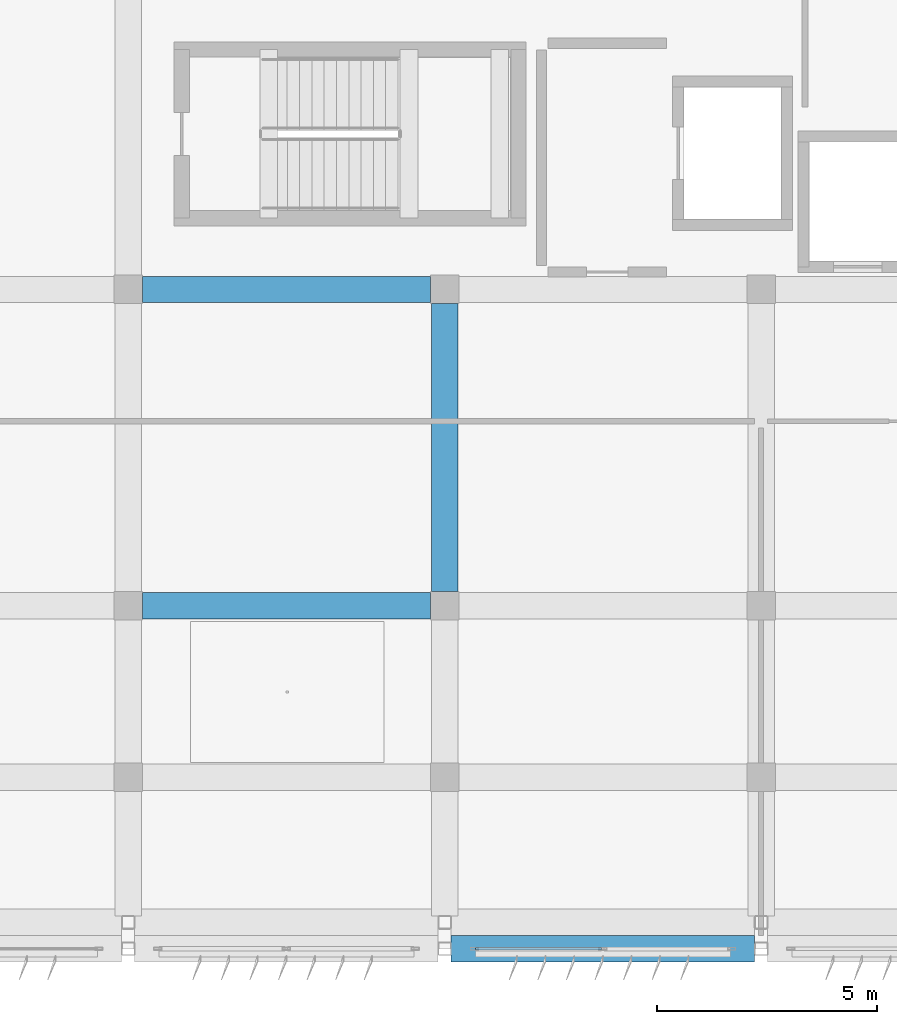
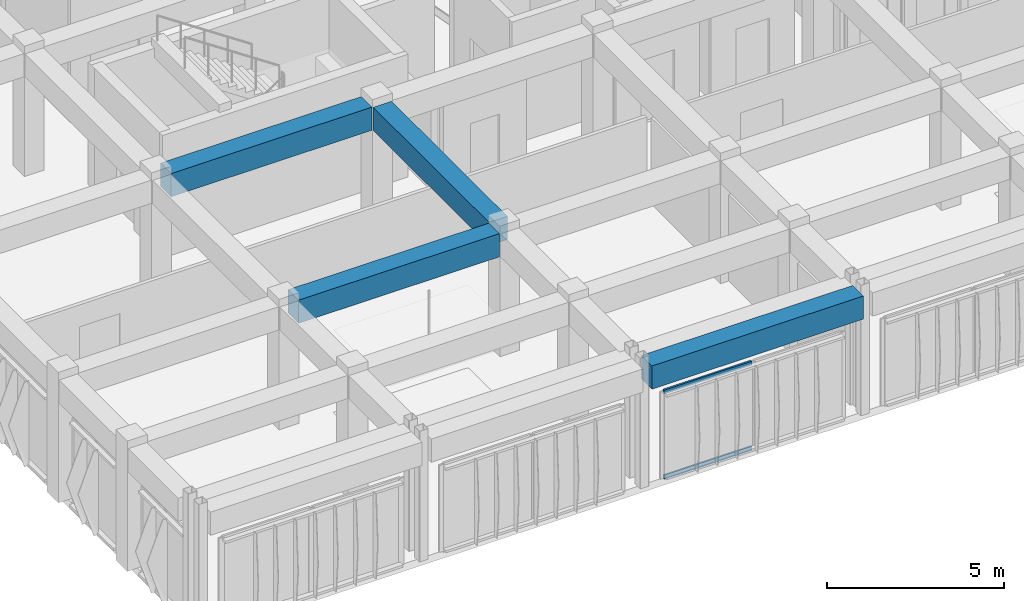
# One storey, part 7 of 56: 4 beams, 2 members, 1 element without a shape of its own.
"""IFC4 building model written with IfcOpenShell, lengths in metres."""

import ifcopenshell
import ifcopenshell.guid

model = None  # the IFC model being written
_history = None  # IfcOwnerHistory: only IFC2X3 demands one
_inside = {}  # id of a spatial element -> (the spatial element, [elements in it])
_under = {}  # id of a project, library or spatial element -> (it, [spatial elements below it])
_declared = {}  # id of a project -> (the project, [libraries it declares])
_typed = {}  # id of a type object -> (the type object, [elements of that type])
_made_of = {}  # id of a material, layer set ... -> (it, [elements and type objects made of it])


def new_model(schema):
    """Start an empty IFC model of exactly this schema.

    Asked for "IFC4X3", IfcOpenShell would pick the latest addendum, in which some entities
    have other attributes; the version numbers below select the first issue.
    IFC2X3 requires an IfcOwnerHistory on every rooted entity: one is made here for all.
    """
    global model, _history
    if schema == "IFC4X3":
        model = ifcopenshell.file(schema_version=(4, 3, 0, 0))
    else:
        model = ifcopenshell.file(schema=schema)
    _inside.clear()
    _under.clear()
    _declared.clear()
    _typed.clear()
    _made_of.clear()
    _history = None
    if model.schema == "IFC2X3":
        org = make("IfcOrganization", Name="unknown")
        user = make(
            "IfcPersonAndOrganization",
            ThePerson=make("IfcPerson", FamilyName="unknown"),
            TheOrganization=org,
        )
        app = make(
            "IfcApplication",
            ApplicationDeveloper=org,
            Version="unknown",
            ApplicationFullName="unknown",
            ApplicationIdentifier="unknown",
        )
        _history = make(
            "IfcOwnerHistory",
            OwningUser=user,
            OwningApplication=app,
            ChangeAction="ADDED",
            CreationDate=0,
        )
    return model


def make(cls, **values):
    """One entity of the class cls with the attributes given. An attribute that is None is left unset."""
    return model.create_entity(
        cls, **{name: value for name, value in values.items() if value is not None}
    )


def rooted(cls, **values):
    """An entity with a GlobalId (a new one), such as an element, a storey or a relation."""
    return make(cls, GlobalId=ifcopenshell.guid.new(), OwnerHistory=_history, **values)


def si_unit(unit_type, name, prefix=None):
    """IfcSIUnit, for example si_unit("LENGTHUNIT", "METRE", prefix="MILLI")."""
    return make("IfcSIUnit", UnitType=unit_type, Prefix=prefix, Name=name)


def assignment(units):
    """IfcUnitAssignment: the units of a project."""
    return None if units is None else make("IfcUnitAssignment", Units=units)


def point(xyz):
    """IfcCartesianPoint."""
    return None if xyz is None else make("IfcCartesianPoint", Coordinates=xyz)


def direction(xyz):
    """IfcDirection."""
    return None if xyz is None else make("IfcDirection", DirectionRatios=xyz)


def frame(location, z_axis=None, x_axis=None):
    """IfcAxis2Placement3D, a coordinate frame: its origin and axes. An axis left out is left unset."""
    return make(
        "IfcAxis2Placement3D",
        Location=point(location),
        Axis=direction(z_axis),
        RefDirection=direction(x_axis),
    )


def frame_2d(location, x_axis=None):
    """IfcAxis2Placement2D, a coordinate frame in the plane: its origin and x axis."""
    return make(
        "IfcAxis2Placement2D", Location=point(location), RefDirection=direction(x_axis)
    )


def origin():
    """The frame at (0, 0, 0) with its axes left unset."""
    return frame((0.0, 0.0, 0.0))


def origin_2d():
    """The frame at (0, 0) in the plane with its x axis left unset."""
    return frame_2d((0.0, 0.0))


def place(relative_to, where):
    """IfcLocalPlacement: puts the frame where relative to a parent placement (None: the world)."""
    return make(
        "IfcLocalPlacement", PlacementRelTo=relative_to, RelativePlacement=where
    )


def context(
    kind, dimensions, precision=None, world=None, true_north=None, identifier=None
):
    """IfcGeometricRepresentationContext, for example the 3D "Model" context."""
    return make(
        "IfcGeometricRepresentationContext",
        ContextIdentifier=identifier,
        ContextType=kind,
        CoordinateSpaceDimension=dimensions,
        Precision=precision,
        WorldCoordinateSystem=world,
        TrueNorth=true_north,
    )


def subcontext(parent, identifier, kind, view, scale=None):
    """IfcGeometricRepresentationSubContext, for example "Body" below "Model"."""
    return make(
        "IfcGeometricRepresentationSubContext",
        ContextIdentifier=identifier,
        ContextType=kind,
        ParentContext=parent,
        TargetScale=scale,
        TargetView=view,
    )


def project(units=None, contexts=None):
    """IfcProject with its units and contexts."""
    return rooted(
        "IfcProject",
        Name="project",
        RepresentationContexts=contexts,
        UnitsInContext=assignment(units),
    )


def spatial(cls, under=None, at=None, **own):
    """A site, building, storey or space (cls), placed at a placement, below another one or the project."""
    s = rooted(cls, ObjectPlacement=at, **own)
    if under is not None:
        _under.setdefault(under.id(), (under, []))[1].append(s)
    return s


def profile(cls, at=None, kind="AREA", **sizes):
    """A parametric profile (cls). Its sizes go by their IFC names, for example OverallWidth=200.0."""
    return make(cls, ProfileType=kind, Position=at, **sizes)


def rectangle(**sizes):
    """IfcRectangleProfileDef."""
    return profile("IfcRectangleProfileDef", **sizes)


def hollow_rectangle(**sizes):
    """IfcRectangleHollowProfileDef."""
    return profile("IfcRectangleHollowProfileDef", **sizes)


def extrude(swept, where, along, depth):
    """IfcExtrudedAreaSolid: the profile swept, set in the frame where, extruded along a direction by depth."""
    return make(
        "IfcExtrudedAreaSolid",
        SweptArea=swept,
        Position=where,
        ExtrudedDirection=direction(along),
        Depth=depth,
    )


def shape(context_of_items, identifier, shape_type, items):
    """IfcShapeRepresentation: the items that make up one representation, for example the "Body"."""
    return make(
        "IfcShapeRepresentation",
        ContextOfItems=context_of_items,
        RepresentationIdentifier=identifier,
        RepresentationType=shape_type,
        Items=items,
    )


def material(Name=None, Category=None):
    """IfcMaterial."""
    return make("IfcMaterial", Name=Name, Category=Category)


def material_profile(
    of_material, cross_section, Name=None, Category=None, Priority=None
):
    """IfcMaterialProfile: a cross section and its material."""
    return make(
        "IfcMaterialProfile",
        Name=Name,
        Material=of_material,
        Profile=cross_section,
        Priority=Priority,
        Category=Category,
    )


def profile_set(profiles, Name=None, composite=None):
    """IfcMaterialProfileSet."""
    return make(
        "IfcMaterialProfileSet",
        Name=Name,
        MaterialProfiles=profiles,
        CompositeProfile=composite,
    )


def made_of(thing, what):
    """Note that an element or type object is made of a material, layer set ...; save() writes the relation."""
    if what is not None:
        _made_of.setdefault(what.id(), (what, []))[1].append(thing)
    return thing


def type_object(cls, material=None, **own):
    """A type object (cls), such as IfcWallType, which elements share."""
    return made_of(rooted(cls, **own), material)


def element(
    cls,
    number,
    at=None,
    inside=None,
    cuts=None,
    type_object=None,
    material=None,
    context=None,
    identifier="Body",
    shape_type=None,
    held_by="IfcProductDefinitionShape",
    body=None,
    shapes=None,
    **own,
):
    """One element of the class cls, such as IfcWall. Its Tag is "e" and its number.

    at: its placement. inside: the storey or other place that contains it. cuts: it is an
    opening in that element (IfcRelVoidsElement). A single representation is given by context,
    identifier, shape_type and body (its items); several are given by shapes. held_by: the class
    of the entity that holds the representations. save() writes the other relations.
    """
    e = rooted(cls, Tag="e%d" % number, ObjectPlacement=at, **own)
    if body is not None:
        shapes = [shape(context, identifier, shape_type, body)]
    if shapes is not None:
        e.Representation = make(held_by, Representations=shapes)
    if inside is not None:
        _inside.setdefault(inside.id(), (inside, []))[1].append(e)
    if cuts is not None:
        rooted(
            "IfcRelVoidsElement", RelatingBuildingElement=cuts, RelatedOpeningElement=e
        )
    if type_object is not None:
        _typed.setdefault(type_object.id(), (type_object, []))[1].append(e)
    return made_of(e, material)


def aggregate(whole, parts):
    """IfcRelAggregates: a whole, such as a stair, and the parts it consists of."""
    return rooted("IfcRelAggregates", RelatingObject=whole, RelatedObjects=parts)


def save(model, path):
    """Write the relations noted so far, then the file.

    IfcRelAggregates (storeys below a building ...), IfcRelContainedInSpatialStructure (elements
    in a storey), IfcRelDefinesByType, IfcRelAssociatesMaterial and IfcRelDeclares: one each for
    every whole, place, type object, material and project.
    """
    for whole, parts in _under.values():
        aggregate(whole, parts)
    for where, things in _inside.values():
        rooted(
            "IfcRelContainedInSpatialStructure",
            RelatedElements=things,
            RelatingStructure=where,
        )
    for kind, things in _typed.values():
        rooted("IfcRelDefinesByType", RelatedObjects=things, RelatingType=kind)
    for what, things in _made_of.values():
        rooted("IfcRelAssociatesMaterial", RelatedObjects=things, RelatingMaterial=what)
    for by, libraries in _declared.values():
        rooted("IfcRelDeclares", RelatingContext=by, RelatedDefinitions=libraries)
    model.write(path)


model = new_model("IFC4")

# Units and contexts
model_context = context("Model", 3, precision=1e-05, world=origin(), true_north=direction((0.0, 1.0)))
body_context = subcontext(model_context, "Body", "Model", "MODEL_VIEW")
ifc_project = project(units=[si_unit("LENGTHUNIT", "METRE"), si_unit("AREAUNIT", "SQUARE_METRE"), si_unit("VOLUMEUNIT", "CUBIC_METRE"), si_unit("PLANEANGLEUNIT", "RADIAN"), si_unit("MASSUNIT", "GRAM", prefix="KILO")], contexts=[model_context])

# Site, building, storey
site_placement = place(None, origin())
site = spatial("IfcSite", under=ifc_project, at=site_placement, CompositionType="ELEMENT")
building_placement = place(site_placement, origin())
building = spatial("IfcBuilding", under=site, at=building_placement, Name="Kazehaya Institute of Natural Sciences", CompositionType="ELEMENT")
storey_placement = place(building_placement, frame((0.0, 0.0, 28.800048828125)))
storey = spatial("IfcBuildingStorey", under=building, at=storey_placement, Name="L06", CompositionType="ELEMENT", Elevation=28.800048828125)

# Beams
ifc_material_1 = material(Name="Concrete Fc36", Category="concrete")
ifc_material_profile_1 = material_profile(ifc_material_1, rectangle(XDim=0.60009765625, YDim=0.800048828125, at=origin_2d()), Name="RC-600x800")
ifc_profile_set_1 = profile_set([ifc_material_profile_1], Name="Concrete Fc36")
beam_type = type_object("IfcBeamType", Name="BM-G-600x800", PredefinedType="BEAM", material=ifc_profile_set_1)
beam_placement = place(storey_placement, frame((69.14990234375, 6.199951171875, 3.829833984375), z_axis=(1.0, 0.0, 0.0), x_axis=(0.0, 1.0, 0.0)))
element("IfcBeam", 1, at=beam_placement, inside=storey, type_object=beam_type, Name="L06 primary X girder BMX-L06-690-62", PredefinedType="BEAM", context=body_context, shape_type="SweptSolid", body=[
    extrude(rectangle(XDim=0.60009765625, YDim=0.800048828125, at=origin_2d()), origin(), (0.0, 0.0, 1.0), 6.900146484375),
])
for number, where, z_axis, x_axis, name in (
    (2, (62.125, 14.0, 3.829833984375), (1.0, 0.0, 0.0), (0.0, 1.0, 0.0), "L06 primary X girder BMX-L06-618-140"),
    (3, (62.125, 21.199951171875, 3.829833984375), (1.0, 0.0, 0.0), (0.0, 1.0, 0.0), "L06 primary X girder BMX-L06-618-212"),
    (4, (69.0, 14.324951171875, 3.829833984375), (0.0, 1.0, 0.0), (-1.0, 0.0, 0.0), "L06 primary Y girder BMY-L06-690-140"),
):
    element("IfcBeam", number, at=place(storey_placement, frame(where, z_axis=z_axis, x_axis=x_axis)), inside=storey, type_object=beam_type, Name=name, PredefinedType="BEAM", context=body_context, shape_type="SweptSolid", body=[
        extrude(rectangle(XDim=0.60009765625, YDim=0.800048828125, at=origin_2d()), origin(), (0.0, 0.0, 1.0), 6.550048828125),
    ])

# Curtain wall, members
ifc_material_2 = material(Name="Aluminium alloy A6063S-T5", Category="aluminium")
curtain_wall_type = type_object("IfcCurtainWallType", Name="CW-SYS-04", PredefinedType="NOTDEFINED", material=ifc_material_2)
curtain_wall_placement = place(storey_placement, origin())
curtain_wall = element("IfcCurtainWall", 5, at=curtain_wall_placement, inside=storey, type_object=curtain_wall_type, Name="L06 unitised curtain wall CW-L06-126", PredefinedType="NOTDEFINED")
ifc_material_profile_2 = material_profile(ifc_material_2, hollow_rectangle(XDim=0.06005859375, YDim=0.139892578125, WallThickness=0.00341796875, at=origin_2d()), Name="ALU-60x140x3.5")
ifc_profile_set_2 = profile_set([ifc_material_profile_2], Name="Aluminium alloy A6063S-T5")
member_type = type_object("IfcMemberType", Name="CWT-140", PredefinedType="USERDEFINED", material=ifc_profile_set_2)
member_1_placement = place(storey_placement, frame((72.570068359375, 6.199951171875, 0.030029296875), z_axis=(-1.0, 0.0, 0.0), x_axis=(0.0, -1.0, 0.0)))
member_1 = element("IfcMember", 6, at=member_1_placement, type_object=member_type, Name="CW04 transom 2.1", ObjectType="TRANSOM", PredefinedType="USERDEFINED", context=body_context, shape_type="SweptSolid", body=[
    extrude(hollow_rectangle(XDim=0.06005859375, YDim=0.139892578125, WallThickness=0.00341796875, at=origin_2d()), origin(), (0.0, 0.0, 1.0), 2.8701171875),
])
member_2_placement = place(storey_placement, frame((72.570068359375, 6.199951171875, 2.969970703125), z_axis=(-1.0, 0.0, 0.0), x_axis=(0.0, -1.0, 0.0)))
member_2 = element("IfcMember", 7, at=member_2_placement, type_object=member_type, Name="CW04 transom 2.2", ObjectType="TRANSOM", PredefinedType="USERDEFINED", context=body_context, shape_type="SweptSolid", body=[
    extrude(hollow_rectangle(XDim=0.06005859375, YDim=0.139892578125, WallThickness=0.00341796875, at=origin_2d()), origin(), (0.0, 0.0, 1.0), 2.8701171875),
])
aggregate(curtain_wall, [member_1, member_2])

save(model, "model.ifc")
